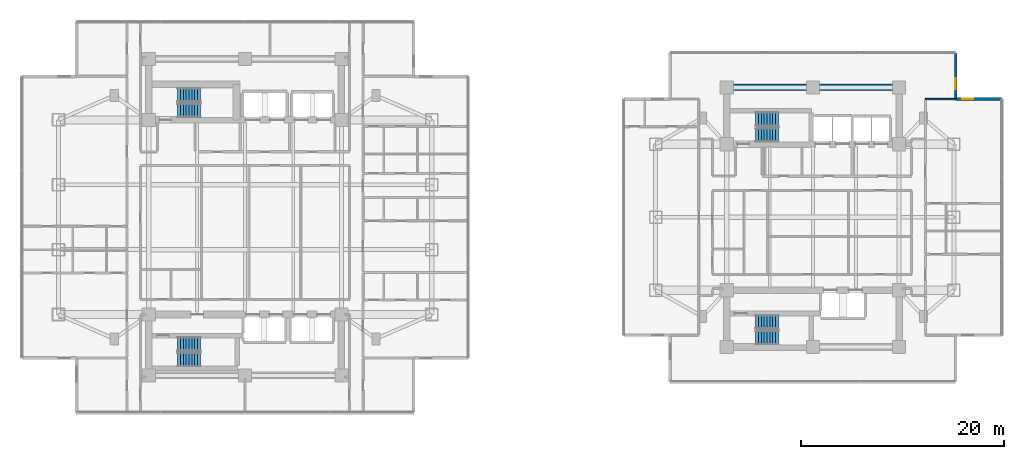
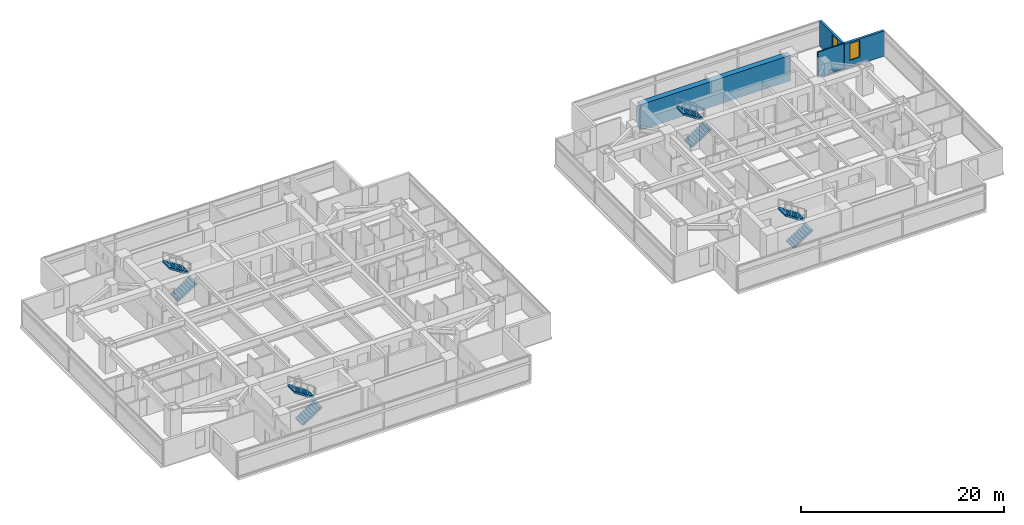
# One storey, part 19 of 24: 8 stair flights, 4 walls, 2 windows, 2 openings, 4 elements without a shape of their own.
"""IFC4 building model written with IfcOpenShell, lengths in metres."""

from ifc_helpers import new_model, si_unit, direction, frame, frame_2d, origin, place, context, subcontext, project, spatial, polyline, rectangle, outline, extrude, material, layer, layer_set, type_object, element, fill, aggregate, save


model = new_model("IFC4")

# Units and contexts
model_context = context("Model", 3, precision=1e-05, world=origin(), true_north=direction((0.0, 1.0)))
body_context = subcontext(model_context, "Body", "Model", "MODEL_VIEW")
ifc_project = project(units=[si_unit("LENGTHUNIT", "METRE"), si_unit("AREAUNIT", "SQUARE_METRE"), si_unit("VOLUMEUNIT", "CUBIC_METRE"), si_unit("PLANEANGLEUNIT", "RADIAN"), si_unit("MASSUNIT", "GRAM", prefix="KILO")], contexts=[model_context])

# Site, building, storey
site_placement = place(None, origin())
site = spatial("IfcSite", under=ifc_project, at=site_placement, CompositionType="ELEMENT")
building_placement = place(site_placement, origin())
building = spatial("IfcBuilding", under=site, at=building_placement, Name="Mirazonda Arch Towers", CompositionType="ELEMENT")
storey_placement = place(building_placement, frame((0.0, 0.0, 68.60009765625)))
storey = spatial("IfcBuildingStorey", under=building, at=storey_placement, Name="L19", CompositionType="ELEMENT", Elevation=68.60009765625)

# Wall
ifc_material_1 = material(Name="Concrete C60/75", Category="concrete")
ifc_layer_1 = layer(ifc_material_1, 0.64990234375, Name="WALL-CORE-650")
ifc_layer_set_1 = layer_set([ifc_layer_1], Name="Concrete C60/75")
wall_type_1 = type_object("IfcWallType", Name="WALL-CORE-650", PredefinedType="SHEAR", material=ifc_layer_set_1)
wall_1_placement = place(storey_placement, frame((68.0, 40.800048828125, 0.0), z_axis=(0.0, 0.0, 1.0), x_axis=(1.0, 0.0, 0.0)))
element("IfcWall", 1, at=wall_1_placement, inside=storey, type_object=wall_type_1, Name="L19 T2N-N Core Shear Wall", PredefinedType="SHEAR", context=body_context, shape_type="SweptSolid", body=[
    extrude(rectangle(XDim=17.0, YDim=0.64990234375, at=frame_2d((8.5, 0.0))), origin(), (0.0, 0.0, 1.0), 3.059814453125),
])

# Wall, opening, window
ifc_material_2 = material(Name="Precast Concrete C40/50", Category="concrete")
ifc_layer_2 = layer(ifc_material_2, 0.280029296875, Name="WALL-EXT-WALL-280")
ifc_layer_set_2 = layer_set([ifc_layer_2], Name="Precast Concrete C40/50")
wall_type_2 = type_object("IfcWallType", Name="WALL-EXT-WALL-280", PredefinedType="SOLIDWALL", material=ifc_layer_set_2)
wall_2_placement = place(storey_placement, frame((90.583984375, 39.646484375, 0.0), z_axis=(0.0, 0.0, 1.0), x_axis=(0.0, 1.0, 0.0)))
wall_2 = element("IfcWall", 2, at=wall_2_placement, inside=storey, type_object=wall_type_2, Name="L19 T2 Notched NE Corner Wall WL-L19-T2-CNE", PredefinedType="SOLIDWALL", context=body_context, shape_type="SweptSolid", body=[
    extrude(rectangle(XDim=4.5458984375, YDim=0.280029296875, at=frame_2d((2.27294921875, 0.0))), origin(), (0.0, 0.0, 1.0), 3.039794921875),
])
opening_1_placement = place(wall_2_placement, frame((0.949951171875, 0.0, 0.85009765625)))
opening_1 = element("IfcOpeningElement", 3, at=opening_1_placement, cuts=wall_2, Name="Opening WN-108", PredefinedType="OPENING", context=body_context, shape_type="SweptSolid", body=[
    extrude(rectangle(XDim=1.10009765625, YDim=2.0, at=frame_2d((0.550048828125, 1.0))), frame((0.0, 0.14990234375, 0.0), z_axis=(0.0, -1.0, 0.0), x_axis=(1.0, 0.0, 0.0)), (0.0, 0.0, 1.0), 0.300048828125),
])
ifc_material_3 = material(Name="Insulated Low-E Solar Glass", Category="glass")
window_type = type_object("IfcWindowType", Name="WIN-NOTCH-1100x2000", PartitioningType="SINGLE_PANEL", PredefinedType="WINDOW", material=ifc_material_3)
window_1_placement = place(opening_1_placement, origin())
window_1 = element("IfcWindow", 4, at=window_1_placement, inside=storey, type_object=window_type, Name="L19 Punched Facade Window WN-L19-T2-CNE", OverallHeight=2.0, OverallWidth=1.10009765625, PartitioningType="SINGLE_PANEL", PredefinedType="WINDOW", context=body_context, shape_type="SweptSolid", body=[
    extrude(rectangle(XDim=1.10009765625, YDim=2.0, at=frame_2d((0.550048828125, 1.0))), frame((0.0, 0.030029296875, 0.0), z_axis=(0.0, -1.0, 0.0), x_axis=(1.0, 0.0, 0.0)), (0.0, 0.0, 1.0), 0.06005859375),
])
fill(opening_1, window_1)

wall_3_placement = place(storey_placement, frame((95.1298828125, 39.646484375, 0.0), z_axis=(0.0, 0.0, 1.0), x_axis=(-1.0, 0.0, 0.0)))
wall_3 = element("IfcWall", 5, at=wall_3_placement, inside=storey, type_object=wall_type_2, Name="L19 T2 Corner Notch Return Wall WL-L19-T2-CNE2", PredefinedType="SOLIDWALL", context=body_context, shape_type="SweptSolid", body=[
    extrude(rectangle(XDim=4.5458984375, YDim=0.280029296875, at=frame_2d((2.27294921875, 0.0))), origin(), (0.0, 0.0, 1.0), 3.039794921875),
])
opening_2_placement = place(wall_3_placement, frame((2.7958984375, 0.0, 0.85009765625)))
opening_2 = element("IfcOpeningElement", 6, at=opening_2_placement, cuts=wall_3, Name="Opening WN-108", PredefinedType="OPENING", context=body_context, shape_type="SweptSolid", body=[
    extrude(rectangle(XDim=1.10009765625, YDim=2.0, at=frame_2d((0.550048828125, 1.0))), frame((0.0, 0.14990234375, 0.0), z_axis=(0.0, -1.0, 0.0), x_axis=(1.0, 0.0, 0.0)), (0.0, 0.0, 1.0), 0.300048828125),
])
window_2_placement = place(opening_2_placement, origin())
window_2 = element("IfcWindow", 7, at=window_2_placement, inside=storey, type_object=window_type, Name="L19 Punched Facade Window WN-L19-T2-CNE2", OverallHeight=2.0, OverallWidth=1.10009765625, PartitioningType="SINGLE_PANEL", PredefinedType="WINDOW", context=body_context, shape_type="SweptSolid", body=[
    extrude(rectangle(XDim=1.10009765625, YDim=2.0, at=frame_2d((0.550048828125, 1.0))), frame((0.0, 0.030029296875, 0.0), z_axis=(0.0, -1.0, 0.0), x_axis=(1.0, 0.0, 0.0)), (0.0, 0.0, 1.0), 0.06005859375),
])
fill(opening_2, window_2)

# Wall
ifc_material_4 = material(Name="Fire-Rated Gypsum Stud Partition")
ifc_layer_3 = layer(ifc_material_4, 0.14990234375, Name="WALL-PART-CORR-150")
ifc_layer_set_3 = layer_set([ifc_layer_3], Name="Fire-Rated Gypsum Stud Partition")
wall_type_3 = type_object("IfcWallType", Name="WALL-PART-CORR-150", PredefinedType="PARTITIONING", material=ifc_layer_set_3)
wall_4_placement = place(storey_placement, frame((87.60009765625, 39.64697265625, 0.0), z_axis=(0.0, 0.0, 1.0), x_axis=(1.0, 0.0, 0.0)))
element("IfcWall", 8, at=wall_4_placement, inside=storey, type_object=wall_type_3, Name="L19 Interior Partition 051", PredefinedType="PARTITIONING", context=body_context, shape_type="SweptSolid", body=[
    extrude(rectangle(XDim=2.9638671875, YDim=0.14990234375, at=frame_2d((1.48193359375, 0.0))), origin(), (0.0, 0.0, 1.0), 3.059814453125),
])

# Stair, stair flights
ifc_material_5 = material(Name="Concrete C40/50", Category="concrete")
stair_type = type_object("IfcStairType", Name="STAIR-CORE-1400", PredefinedType="HALF_TURN_STAIR", material=ifc_material_5)
stair_1_placement = place(storey_placement, origin())
stair_1 = element("IfcStair", 9, at=stair_1_placement, inside=storey, type_object=stair_type, Name="L19 Protected Exit Stair ST-T1N", PredefinedType="HALF_TURN_STAIR")
stair_flight_type = type_object("IfcStairFlightType", Name="FLIGHT-1400", PredefinedType="STRAIGHT", material=ifc_material_5)
stair_flight_1_placement = place(storey_placement, frame((13.85009765625, 38.52001953125, 0.0), z_axis=(0.0, 0.0, 1.0), x_axis=(1.0, 0.0, 0.0)))
stair_flight_1 = element("IfcStairFlight", 10, at=stair_flight_1_placement, type_object=stair_flight_type, Name="ST-T1N flight 1", NumberOfRisers=9, NumberOfTreads=8, PredefinedType="STRAIGHT", RiserHeight=0.183333333, TreadLength=0.28, context=body_context, shape_type="SweptSolid", body=[
    extrude(outline(polyline([(0.0, 0.0), (0.0, 0.183349609375), (0.280029296875, 0.183349609375), (0.280029296875, 0.36669921875), (0.56005859375, 0.36669921875), (0.56005859375, 0.550048828125), (0.840087890625, 0.550048828125), (0.840087890625, 0.7333984375), (1.1201171875, 0.7333984375), (1.1201171875, 0.916748046875), (1.39990234375, 0.916748046875), (1.39990234375, 1.10009765625), (1.679931640625, 1.10009765625), (1.679931640625, 1.283447265625), (1.9599609375, 1.283447265625), (1.9599609375, 1.466552734375), (2.239990234375, 1.466552734375), (2.239990234375, 1.64990234375), (2.239990234375, 1.275634765625), (0.2919921875, 0.0), (0.0, 0.0)])), frame((0.0, 0.699951171875, 0.0), z_axis=(0.0, -1.0, 0.0), x_axis=(1.0, 0.0, 0.0)), (0.0, 0.0, 1.0), 1.39990234375),
])
stair_flight_2_placement = place(storey_placement, frame((16.090087890625, 40.06005859375, 1.64990234375), z_axis=(0.0, 0.0, 1.0), x_axis=(-1.0, 0.0, 0.0)))
stair_flight_2 = element("IfcStairFlight", 11, at=stair_flight_2_placement, type_object=stair_flight_type, Name="ST-T1N flight 2", NumberOfRisers=9, NumberOfTreads=8, PredefinedType="STRAIGHT", RiserHeight=0.183333333, TreadLength=0.28, context=body_context, shape_type="SweptSolid", body=[
    extrude(outline(polyline([(0.0, 0.0), (0.0, 0.183349609375), (0.280029296875, 0.183349609375), (0.280029296875, 0.36669921875), (0.56005859375, 0.36669921875), (0.56005859375, 0.550048828125), (0.840087890625, 0.550048828125), (0.840087890625, 0.7333984375), (1.1201171875, 0.7333984375), (1.1201171875, 0.916748046875), (1.39990234375, 0.916748046875), (1.39990234375, 1.10009765625), (1.679931640625, 1.10009765625), (1.679931640625, 1.283447265625), (1.9599609375, 1.283447265625), (1.9599609375, 1.466552734375), (2.239990234375, 1.466552734375), (2.239990234375, 1.64990234375), (2.239990234375, 1.275634765625), (0.2919921875, 0.0), (0.0, 0.0)])), frame((0.0, 0.699951171875, 0.0), z_axis=(0.0, -1.0, 0.0), x_axis=(1.0, 0.0, 0.0)), (0.0, 0.0, 1.0), 1.39990234375),
])
aggregate(stair_1, [stair_flight_1, stair_flight_2])

stair_2_placement = place(storey_placement, origin())
stair_2 = element("IfcStair", 12, at=stair_2_placement, inside=storey, type_object=stair_type, Name="L19 Protected Exit Stair ST-T1S", PredefinedType="HALF_TURN_STAIR")
stair_flight_3_placement = place(storey_placement, frame((13.85009765625, 13.949951171875, 0.0), z_axis=(0.0, 0.0, 1.0), x_axis=(1.0, 0.0, 0.0)))
stair_flight_3 = element("IfcStairFlight", 13, at=stair_flight_3_placement, type_object=stair_flight_type, Name="ST-T1S flight 1", NumberOfRisers=9, NumberOfTreads=8, PredefinedType="STRAIGHT", RiserHeight=0.183333333, TreadLength=0.28, context=body_context, shape_type="SweptSolid", body=[
    extrude(outline(polyline([(0.0, 0.0), (0.0, 0.183349609375), (0.280029296875, 0.183349609375), (0.280029296875, 0.36669921875), (0.56005859375, 0.36669921875), (0.56005859375, 0.550048828125), (0.840087890625, 0.550048828125), (0.840087890625, 0.7333984375), (1.1201171875, 0.7333984375), (1.1201171875, 0.916748046875), (1.39990234375, 0.916748046875), (1.39990234375, 1.10009765625), (1.679931640625, 1.10009765625), (1.679931640625, 1.283447265625), (1.9599609375, 1.283447265625), (1.9599609375, 1.466552734375), (2.239990234375, 1.466552734375), (2.239990234375, 1.64990234375), (2.239990234375, 1.275634765625), (0.2919921875, 0.0), (0.0, 0.0)])), frame((0.0, 0.699951171875, 0.0), z_axis=(0.0, -1.0, 0.0), x_axis=(1.0, 0.0, 0.0)), (0.0, 0.0, 1.0), 1.39990234375),
])
stair_flight_4_placement = place(storey_placement, frame((16.090087890625, 15.489990234375, 1.64990234375), z_axis=(0.0, 0.0, 1.0), x_axis=(-1.0, 0.0, 0.0)))
stair_flight_4 = element("IfcStairFlight", 14, at=stair_flight_4_placement, type_object=stair_flight_type, Name="ST-T1S flight 2", NumberOfRisers=9, NumberOfTreads=8, PredefinedType="STRAIGHT", RiserHeight=0.183333333, TreadLength=0.28, context=body_context, shape_type="SweptSolid", body=[
    extrude(outline(polyline([(0.0, 0.0), (0.0, 0.183349609375), (0.280029296875, 0.183349609375), (0.280029296875, 0.36669921875), (0.56005859375, 0.36669921875), (0.56005859375, 0.550048828125), (0.840087890625, 0.550048828125), (0.840087890625, 0.7333984375), (1.1201171875, 0.7333984375), (1.1201171875, 0.916748046875), (1.39990234375, 0.916748046875), (1.39990234375, 1.10009765625), (1.679931640625, 1.10009765625), (1.679931640625, 1.283447265625), (1.9599609375, 1.283447265625), (1.9599609375, 1.466552734375), (2.239990234375, 1.466552734375), (2.239990234375, 1.64990234375), (2.239990234375, 1.275634765625), (0.2919921875, 0.0), (0.0, 0.0)])), frame((0.0, 0.699951171875, 0.0), z_axis=(0.0, -1.0, 0.0), x_axis=(1.0, 0.0, 0.0)), (0.0, 0.0, 1.0), 1.39990234375),
])
aggregate(stair_2, [stair_flight_3, stair_flight_4])

stair_3_placement = place(storey_placement, origin())
stair_3 = element("IfcStair", 15, at=stair_3_placement, inside=storey, type_object=stair_type, Name="L19 Protected Exit Stair ST-T2N", PredefinedType="HALF_TURN_STAIR")
stair_flight_5_placement = place(storey_placement, frame((70.85009765625, 36.1201171875, 0.0), z_axis=(0.0, 0.0, 1.0), x_axis=(1.0, 0.0, 0.0)))
stair_flight_5 = element("IfcStairFlight", 16, at=stair_flight_5_placement, type_object=stair_flight_type, Name="ST-T2N flight 1", NumberOfRisers=9, NumberOfTreads=8, PredefinedType="STRAIGHT", RiserHeight=0.183333333, TreadLength=0.28, context=body_context, shape_type="SweptSolid", body=[
    extrude(outline(polyline([(0.0, 0.0), (0.0, 0.183349609375), (0.280029296875, 0.183349609375), (0.280029296875, 0.36669921875), (0.56005859375, 0.36669921875), (0.56005859375, 0.550048828125), (0.840087890625, 0.550048828125), (0.840087890625, 0.7333984375), (1.1201171875, 0.7333984375), (1.1201171875, 0.916748046875), (1.39990234375, 0.916748046875), (1.39990234375, 1.10009765625), (1.679931640625, 1.10009765625), (1.679931640625, 1.283447265625), (1.9599609375, 1.283447265625), (1.9599609375, 1.466552734375), (2.239990234375, 1.466552734375), (2.239990234375, 1.64990234375), (2.239990234375, 1.275634765625), (0.2919921875, 0.0), (0.0, 0.0)])), frame((0.0, 0.699951171875, 0.0), z_axis=(0.0, -1.0, 0.0), x_axis=(1.0, 0.0, 0.0)), (0.0, 0.0, 1.0), 1.39990234375),
])
stair_flight_6_placement = place(storey_placement, frame((73.090087890625, 37.659912109375, 1.64990234375), z_axis=(0.0, 0.0, 1.0), x_axis=(-1.0, 0.0, 0.0)))
stair_flight_6 = element("IfcStairFlight", 17, at=stair_flight_6_placement, type_object=stair_flight_type, Name="ST-T2N flight 2", NumberOfRisers=9, NumberOfTreads=8, PredefinedType="STRAIGHT", RiserHeight=0.183333333, TreadLength=0.28, context=body_context, shape_type="SweptSolid", body=[
    extrude(outline(polyline([(0.0, 0.0), (0.0, 0.183349609375), (0.280029296875, 0.183349609375), (0.280029296875, 0.36669921875), (0.56005859375, 0.36669921875), (0.56005859375, 0.550048828125), (0.840087890625, 0.550048828125), (0.840087890625, 0.7333984375), (1.1201171875, 0.7333984375), (1.1201171875, 0.916748046875), (1.39990234375, 0.916748046875), (1.39990234375, 1.10009765625), (1.679931640625, 1.10009765625), (1.679931640625, 1.283447265625), (1.9599609375, 1.283447265625), (1.9599609375, 1.466552734375), (2.239990234375, 1.466552734375), (2.239990234375, 1.64990234375), (2.239990234375, 1.275634765625), (0.2919921875, 0.0), (0.0, 0.0)])), frame((0.0, 0.699951171875, 0.0), z_axis=(0.0, -1.0, 0.0), x_axis=(1.0, 0.0, 0.0)), (0.0, 0.0, 1.0), 1.39990234375),
])
aggregate(stair_3, [stair_flight_5, stair_flight_6])

stair_4_placement = place(storey_placement, origin())
stair_4 = element("IfcStair", 18, at=stair_4_placement, inside=storey, type_object=stair_type, Name="L19 Protected Exit Stair ST-T2S", PredefinedType="HALF_TURN_STAIR")
stair_flight_7_placement = place(storey_placement, frame((70.85009765625, 16.1201171875, 0.0), z_axis=(0.0, 0.0, 1.0), x_axis=(1.0, 0.0, 0.0)))
stair_flight_7 = element("IfcStairFlight", 19, at=stair_flight_7_placement, type_object=stair_flight_type, Name="ST-T2S flight 1", NumberOfRisers=9, NumberOfTreads=8, PredefinedType="STRAIGHT", RiserHeight=0.183333333, TreadLength=0.28, context=body_context, shape_type="SweptSolid", body=[
    extrude(outline(polyline([(0.0, 0.0), (0.0, 0.183349609375), (0.280029296875, 0.183349609375), (0.280029296875, 0.36669921875), (0.56005859375, 0.36669921875), (0.56005859375, 0.550048828125), (0.840087890625, 0.550048828125), (0.840087890625, 0.7333984375), (1.1201171875, 0.7333984375), (1.1201171875, 0.916748046875), (1.39990234375, 0.916748046875), (1.39990234375, 1.10009765625), (1.679931640625, 1.10009765625), (1.679931640625, 1.283447265625), (1.9599609375, 1.283447265625), (1.9599609375, 1.466552734375), (2.239990234375, 1.466552734375), (2.239990234375, 1.64990234375), (2.239990234375, 1.275634765625), (0.2919921875, 0.0), (0.0, 0.0)])), frame((0.0, 0.699951171875, 0.0), z_axis=(0.0, -1.0, 0.0), x_axis=(1.0, 0.0, 0.0)), (0.0, 0.0, 1.0), 1.39990234375),
])
stair_flight_8_placement = place(storey_placement, frame((73.090087890625, 17.659912109375, 1.64990234375), z_axis=(0.0, 0.0, 1.0), x_axis=(-1.0, 0.0, 0.0)))
stair_flight_8 = element("IfcStairFlight", 20, at=stair_flight_8_placement, type_object=stair_flight_type, Name="ST-T2S flight 2", NumberOfRisers=9, NumberOfTreads=8, PredefinedType="STRAIGHT", RiserHeight=0.183333333, TreadLength=0.28, context=body_context, shape_type="SweptSolid", body=[
    extrude(outline(polyline([(0.0, 0.0), (0.0, 0.183349609375), (0.280029296875, 0.183349609375), (0.280029296875, 0.36669921875), (0.56005859375, 0.36669921875), (0.56005859375, 0.550048828125), (0.840087890625, 0.550048828125), (0.840087890625, 0.7333984375), (1.1201171875, 0.7333984375), (1.1201171875, 0.916748046875), (1.39990234375, 0.916748046875), (1.39990234375, 1.10009765625), (1.679931640625, 1.10009765625), (1.679931640625, 1.283447265625), (1.9599609375, 1.283447265625), (1.9599609375, 1.466552734375), (2.239990234375, 1.466552734375), (2.239990234375, 1.64990234375), (2.239990234375, 1.275634765625), (0.2919921875, 0.0), (0.0, 0.0)])), frame((0.0, 0.699951171875, 0.0), z_axis=(0.0, -1.0, 0.0), x_axis=(1.0, 0.0, 0.0)), (0.0, 0.0, 1.0), 1.39990234375),
])
aggregate(stair_4, [stair_flight_7, stair_flight_8])

save(model, "model.ifc")
